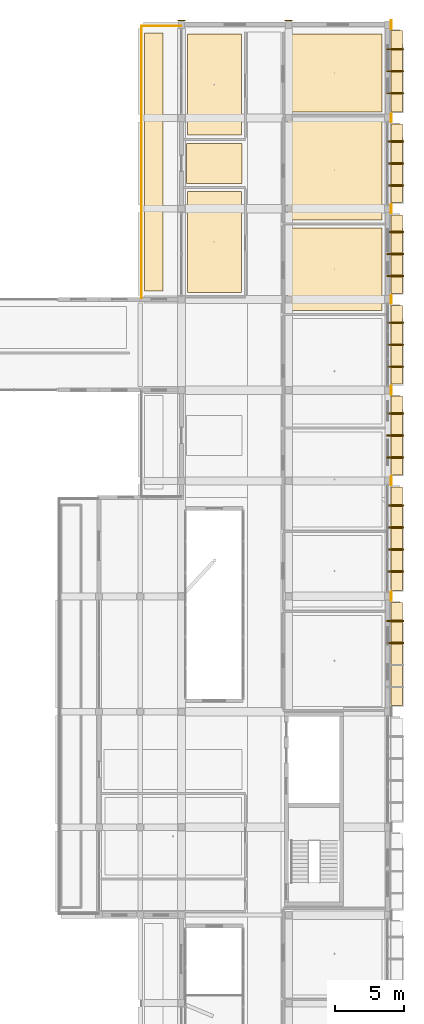
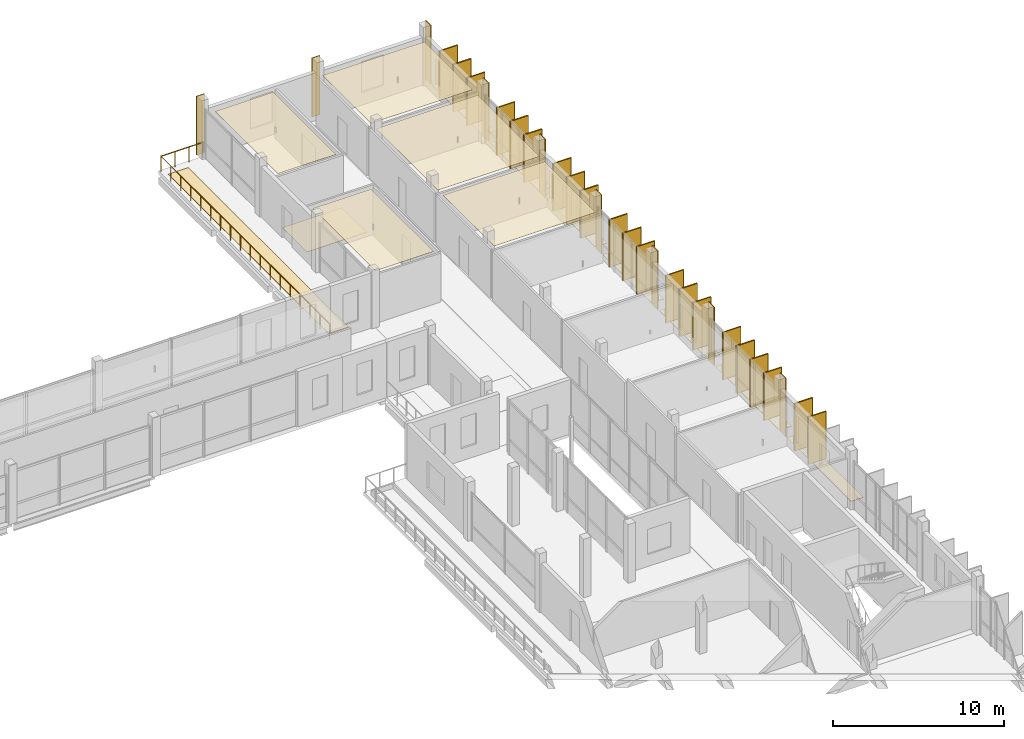
# One storey, part 85 of 85: 44 coverings, 21 shading devices, 2 railings.
"""IFC4 building model written with IfcOpenShell, lengths in metres."""

from ifc_helpers import new_model, si_unit, derived_unit, direction, frame, origin, origin_2d, place, context, subcontext, project, spatial, polyline, rectangle, circle, outline, extrude, material, layer, layer_set, type_object, element, save


model = new_model("IFC4")

# Units and contexts
model_context = context("Model", 3, precision=1e-05, world=origin(), true_north=direction((0.0, 1.0)))
body_context = subcontext(model_context, "Body", "Model", "MODEL_VIEW")
ifc_project = project(units=[si_unit("LENGTHUNIT", "METRE"), si_unit("AREAUNIT", "SQUARE_METRE"), si_unit("VOLUMEUNIT", "CUBIC_METRE"), si_unit("PLANEANGLEUNIT", "RADIAN"), si_unit("MASSUNIT", "GRAM", prefix="KILO"), derived_unit("THERMALTRANSMITTANCEUNIT", [(si_unit("POWERUNIT", "WATT"), 1), (si_unit("LENGTHUNIT", "METRE"), -2), (si_unit("THERMODYNAMICTEMPERATUREUNIT", "KELVIN"), -1)])], contexts=[model_context])

# Site, building, storey
site_placement = place(None, origin())
site = spatial("IfcSite", under=ifc_project, at=site_placement, CompositionType="ELEMENT")
building_placement = place(site_placement, origin())
building = spatial("IfcBuilding", under=site, at=building_placement, Name="Braskholm Square Health Centre", CompositionType="ELEMENT")
storey_placement = place(building_placement, frame((0.0, 0.0, 9.300048828125)))
storey = spatial("IfcBuildingStorey", under=building, at=storey_placement, Name="L03", CompositionType="ELEMENT", Elevation=9.300048828125)

# Coverings
ifc_material_1 = material(Name="Fire-rated gypsum board barrier")
ifc_layer_1 = layer(ifc_material_1, 0.02490234375)
ifc_layer_set_1 = layer_set([ifc_layer_1], Name="Fire-rated gypsum board barrier")
covering_type_1 = type_object("IfcCoveringType", Name="AcousticClinicalCeilingTile", PredefinedType="CEILING", material=ifc_layer_set_1)
covering_1_placement = place(storey_placement, frame((0.0, 0.0, 3.46484375)))
element("IfcCovering", 1, at=covering_1_placement, inside=storey, type_object=covering_type_1, Name="Acoustic ceiling L03-226", PredefinedType="CEILING", context=body_context, shape_type="SweptSolid", body=[
    extrude(outline(polyline([(156.5, 93.010009765625), (163.3798828125, 93.010009765625), (163.3798828125, 99.0), (156.5, 99.0), (156.5, 93.010009765625)])), origin(), (0.0, 0.0, 1.0), 0.025146484375),
])
covering_2_placement = place(storey_placement, frame((0.0, 0.0, 3.46484375)))
element("IfcCovering", 2, at=covering_2_placement, inside=storey, type_object=covering_type_1, Name="Acoustic ceiling L03-227", PredefinedType="CEILING", context=body_context, shape_type="SweptSolid", body=[
    extrude(outline(polyline([(156.5, 99.60009765625), (163.3798828125, 99.60009765625), (163.3798828125, 106.85009765625), (156.5, 106.85009765625), (156.5, 99.60009765625)])), origin(), (0.0, 0.0, 1.0), 0.025146484375),
])
covering_3_placement = place(storey_placement, frame((0.0, 0.0, 3.48486328125)))
element("IfcCovering", 3, at=covering_3_placement, inside=storey, type_object=covering_type_1, Name="Acoustic ceiling L03-228", PredefinedType="CEILING", context=body_context, shape_type="SweptSolid", body=[
    extrude(outline(polyline([(156.5, 107.449951171875), (163.3798828125, 107.449951171875), (163.3798828125, 113.10009765625), (156.5, 113.10009765625), (156.5, 107.449951171875)])), origin(), (0.0, 0.0, 1.0), 0.025146484375),
])
covering_4_placement = place(storey_placement, frame((0.0, 0.0, 3.46484375)))
element("IfcCovering", 4, at=covering_4_placement, inside=storey, type_object=covering_type_1, Name="Acoustic ceiling L03-240", PredefinedType="CEILING", context=body_context, shape_type="SweptSolid", body=[
    extrude(outline(polyline([(149.219970703125, 94.300048828125), (153.14990234375, 94.300048828125), (153.14990234375, 101.64990234375), (149.219970703125, 101.64990234375), (149.219970703125, 94.300048828125)])), origin(), (0.0, 0.0, 1.0), 0.025146484375),
])
covering_5_placement = place(storey_placement, frame((0.0, 0.0, 3.46484375)))
element("IfcCovering", 5, at=covering_5_placement, inside=storey, type_object=covering_type_1, Name="Acoustic ceiling L03-241", PredefinedType="CEILING", context=body_context, shape_type="SweptSolid", body=[
    extrude(outline(polyline([(149.219970703125, 105.75), (153.14990234375, 105.75), (153.14990234375, 113.10009765625), (149.219970703125, 113.10009765625), (149.219970703125, 105.75)])), origin(), (0.0, 0.0, 1.0), 0.025146484375),
])

# Railings
ifc_material_2 = material(Name="Dark patinated chevron architectural bronze", Category="aluminium")
railing_type = type_object("IfcRailingType", Name="BronzeChevronGuardrail1100", PredefinedType="GUARDRAIL", material=ifc_material_2)
railing_1_placement = place(storey_placement, frame((145.89990234375, 93.89990234375, 0.0)))
element("IfcRailing", 6, at=railing_1_placement, inside=storey, type_object=railing_type, Name="Bronze chevron guardrail 0039 L03", PredefinedType="GUARDRAIL", context=body_context, shape_type="SweptSolid", body=[
    extrude(circle(Radius=0.02392578125, at=origin_2d()), frame((0.0, 0.0, 1.076171875), z_axis=(0.0, 1.0, 0.0), x_axis=(-1.0, 0.0, 0.0)), (0.0, 0.0, 1.0), 19.800048828125),
    extrude(circle(Radius=0.02099609375, at=origin_2d()), origin(), (0.0, 0.0, 1.0), 1.052001953125),
    extrude(circle(Radius=0.02099609375, at=origin_2d()), frame((0.0, 1.164794921875, 0.0)), (0.0, 0.0, 1.0), 1.052001953125),
    extrude(circle(Radius=0.02099609375, at=origin_2d()), frame((0.0, 2.329345703125, 0.0)), (0.0, 0.0, 1.0), 1.052001953125),
    extrude(circle(Radius=0.02099609375, at=origin_2d()), frame((0.0, 3.494140625, 0.0)), (0.0, 0.0, 1.0), 1.052001953125),
    extrude(circle(Radius=0.02099609375, at=origin_2d()), frame((0.0, 4.658935546875, 0.0)), (0.0, 0.0, 1.0), 1.052001953125),
    extrude(circle(Radius=0.02099609375, at=origin_2d()), frame((0.0, 5.823486328125, 0.0)), (0.0, 0.0, 1.0), 1.052001953125),
    extrude(circle(Radius=0.02099609375, at=origin_2d()), frame((0.0, 6.98828125, 0.0)), (0.0, 0.0, 1.0), 1.052001953125),
    extrude(circle(Radius=0.02099609375, at=origin_2d()), frame((0.0, 8.153076171875, 0.0)), (0.0, 0.0, 1.0), 1.052001953125),
    extrude(circle(Radius=0.02099609375, at=origin_2d()), frame((0.0, 9.317626953125, 0.0)), (0.0, 0.0, 1.0), 1.052001953125),
    extrude(circle(Radius=0.02099609375, at=origin_2d()), frame((0.0, 10.482421875, 0.0)), (0.0, 0.0, 1.0), 1.052001953125),
    extrude(circle(Radius=0.02099609375, at=origin_2d()), frame((0.0, 11.64697265625, 0.0)), (0.0, 0.0, 1.0), 1.052001953125),
    extrude(circle(Radius=0.02099609375, at=origin_2d()), frame((0.0, 12.811767578125, 0.0)), (0.0, 0.0, 1.0), 1.052001953125),
    extrude(circle(Radius=0.02099609375, at=origin_2d()), frame((0.0, 13.9765625, 0.0)), (0.0, 0.0, 1.0), 1.052001953125),
    extrude(circle(Radius=0.02099609375, at=origin_2d()), frame((0.0, 15.14111328125, 0.0)), (0.0, 0.0, 1.0), 1.052001953125),
    extrude(circle(Radius=0.02099609375, at=origin_2d()), frame((0.0, 16.305908203125, 0.0)), (0.0, 0.0, 1.0), 1.052001953125),
    extrude(circle(Radius=0.02099609375, at=origin_2d()), frame((0.0, 17.470703125, 0.0)), (0.0, 0.0, 1.0), 1.052001953125),
    extrude(circle(Radius=0.02099609375, at=origin_2d()), frame((0.0, 18.63525390625, 0.0)), (0.0, 0.0, 1.0), 1.052001953125),
    extrude(circle(Radius=0.02099609375, at=origin_2d()), frame((0.0, 19.800048828125, 0.0)), (0.0, 0.0, 1.0), 1.052001953125),
])
railing_2_placement = place(storey_placement, frame((145.89990234375, 113.699951171875, 0.0)))
element("IfcRailing", 7, at=railing_2_placement, inside=storey, type_object=railing_type, Name="Bronze chevron guardrail 0040 L03", PredefinedType="GUARDRAIL", context=body_context, shape_type="SweptSolid", body=[
    extrude(circle(Radius=0.02392578125, at=origin_2d()), frame((0.0, 0.0, 1.076171875), z_axis=(1.0, 0.0, 0.0), x_axis=(0.0, 1.0, 0.0)), (0.0, 0.0, 1.0), 2.85009765625),
    extrude(circle(Radius=0.02099609375, at=origin_2d()), origin(), (0.0, 0.0, 1.0), 1.052001953125),
    extrude(circle(Radius=0.02099609375, at=origin_2d()), frame((0.949951171875, 0.0, 0.0)), (0.0, 0.0, 1.0), 1.052001953125),
    extrude(circle(Radius=0.02099609375, at=origin_2d()), frame((1.900146484375, 0.0, 0.0)), (0.0, 0.0, 1.0), 1.052001953125),
    extrude(circle(Radius=0.02099609375, at=origin_2d()), frame((2.85009765625, 0.0, 0.0)), (0.0, 0.0, 1.0), 1.052001953125),
])

# Shading devices
ifc_material_3 = material(Name="Thermally modified western red cedar with bronze trim", Category="wood")
shading_device_type = type_object("IfcShadingDeviceType", Name="CedarBronzeShadingFin1250", PredefinedType="USERDEFINED", material=ifc_material_3)
for number, where, z_axis, x_axis, name in (
    (8, (164.364990234375, 68.800048828125, 0.0), (0.0, 0.0, 1.0), (1.0, 0.0, 0.0), "Warm cedar-bronze vertical shading slat 0286"),
    (9, (164.364990234375, 70.39990234375, 0.0), (0.0, 0.0, 1.0), (1.0, 0.0, 0.0), "Warm cedar-bronze vertical shading slat 0287"),
    (10, (164.364990234375, 74.0, 0.0), (0.0, 0.0, 1.0), (1.0, 0.0, 0.0), "Warm cedar-bronze vertical shading slat 0288"),
    (11, (164.364990234375, 75.60009765625, 0.0), (0.0, 0.0, 1.0), (1.0, 0.0, 0.0), "Warm cedar-bronze vertical shading slat 0289"),
    (12, (164.364990234375, 77.199951171875, 0.0), (0.0, 0.0, 1.0), (1.0, 0.0, 0.0), "Warm cedar-bronze vertical shading slat 0290"),
    (13, (164.364990234375, 78.800048828125, 0.0), (0.0, 0.0, 1.0), (1.0, 0.0, 0.0), "Warm cedar-bronze vertical shading slat 0291"),
    (14, (164.364990234375, 82.300048828125, 0.0), (0.0, 0.0, 1.0), (1.0, 0.0, 0.0), "Warm cedar-bronze vertical shading slat 0292"),
    (15, (164.364990234375, 83.89990234375, 0.0), (0.0, 0.0, 1.0), (1.0, 0.0, 0.0), "Warm cedar-bronze vertical shading slat 0293"),
    (16, (164.364990234375, 85.5, 0.0), (0.0, 0.0, 1.0), (1.0, 0.0, 0.0), "Warm cedar-bronze vertical shading slat 0294"),
    (17, (164.364990234375, 88.89990234375, 0.0), (0.0, 0.0, 1.0), (1.0, 0.0, 0.0), "Warm cedar-bronze vertical shading slat 0295"),
    (18, (164.364990234375, 90.5, 0.0), (0.0, 0.0, 1.0), (1.0, 0.0, 0.0), "Warm cedar-bronze vertical shading slat 0296"),
    (19, (164.364990234375, 92.10009765625, 0.0), (0.0, 0.0, 1.0), (1.0, 0.0, 0.0), "Warm cedar-bronze vertical shading slat 0297"),
    (20, (164.364990234375, 95.5, 0.0), (0.0, 0.0, 1.0), (1.0, 0.0, 0.0), "Warm cedar-bronze vertical shading slat 0298"),
    (21, (164.364990234375, 97.10009765625, 0.0), (0.0, 0.0, 1.0), (1.0, 0.0, 0.0), "Warm cedar-bronze vertical shading slat 0299"),
    (22, (164.364990234375, 98.699951171875, 0.0), (0.0, 0.0, 1.0), (1.0, 0.0, 0.0), "Warm cedar-bronze vertical shading slat 0300"),
    (23, (164.364990234375, 102.10009765625, 0.0), (0.0, 0.0, 1.0), (1.0, 0.0, 0.0), "Warm cedar-bronze vertical shading slat 0301"),
    (24, (164.364990234375, 103.699951171875, 0.0), (0.0, 0.0, 1.0), (1.0, 0.0, 0.0), "Warm cedar-bronze vertical shading slat 0302"),
    (25, (164.364990234375, 105.300048828125, 0.0), (0.0, 0.0, 1.0), (1.0, 0.0, 0.0), "Warm cedar-bronze vertical shading slat 0303"),
    (26, (164.364990234375, 108.800048828125, 0.0), (0.0, 0.0, 1.0), (1.0, 0.0, 0.0), "Warm cedar-bronze vertical shading slat 0304"),
    (27, (164.364990234375, 110.39990234375, 0.0), (0.0, 0.0, 1.0), (1.0, 0.0, 0.0), "Warm cedar-bronze vertical shading slat 0305"),
    (28, (164.364990234375, 112.0, 0.0), (0.0, 0.0, 1.0), (1.0, 0.0, 0.0), "Warm cedar-bronze vertical shading slat 0306"),
):
    element("IfcShadingDevice", number, at=place(storey_placement, frame(where, z_axis=z_axis, x_axis=x_axis)), inside=storey, type_object=shading_device_type, Name=name, ObjectType="FIN", PredefinedType="USERDEFINED", context=body_context, shape_type="SweptSolid", body=[
        extrude(rectangle(XDim=1.25, YDim=0.0849609375, at=origin_2d()), origin(), (0.0, 0.0, 1.0), 3.39990234375),
    ])

# Coverings
ifc_layer_2 = layer(ifc_material_3, 0.0849609375)
ifc_layer_set_2 = layer_set([ifc_layer_2], Name="Thermally modified western red cedar with bronze trim")
covering_type_2 = type_object("IfcCoveringType", Name="CedarBronzeSlatCladding", PredefinedType="CLADDING", material=ifc_layer_set_2)
for number, where, z_axis, x_axis, name in (
    (29, (164.3701171875, 68.800048828125, 0.0), (0.0, 0.0, 1.0), (1.0, 0.0, 0.0), "Cedar-bronze shading slat trim 0786"),
    (30, (164.3701171875, 70.39990234375, 0.0), (0.0, 0.0, 1.0), (1.0, 0.0, 0.0), "Cedar-bronze shading slat trim 0787"),
    (31, (164.3701171875, 74.0, 0.0), (0.0, 0.0, 1.0), (1.0, 0.0, 0.0), "Cedar-bronze shading slat trim 0789"),
    (32, (164.3701171875, 75.60009765625, 0.0), (0.0, 0.0, 1.0), (1.0, 0.0, 0.0), "Cedar-bronze shading slat trim 0790"),
    (33, (164.3701171875, 77.199951171875, 0.0), (0.0, 0.0, 1.0), (1.0, 0.0, 0.0), "Cedar-bronze shading slat trim 0791"),
    (34, (164.3701171875, 78.800048828125, 0.0), (0.0, 0.0, 1.0), (1.0, 0.0, 0.0), "Cedar-bronze shading slat trim 0792"),
    (35, (164.3701171875, 82.300048828125, 0.0), (0.0, 0.0, 1.0), (1.0, 0.0, 0.0), "Cedar-bronze shading slat trim 0794"),
    (36, (164.3701171875, 83.89990234375, 0.0), (0.0, 0.0, 1.0), (1.0, 0.0, 0.0), "Cedar-bronze shading slat trim 0795"),
    (37, (164.3701171875, 85.5, 0.0), (0.0, 0.0, 1.0), (1.0, 0.0, 0.0), "Cedar-bronze shading slat trim 0796"),
    (38, (164.3701171875, 88.89990234375, 0.0), (0.0, 0.0, 1.0), (1.0, 0.0, 0.0), "Cedar-bronze shading slat trim 0798"),
    (39, (164.3701171875, 90.5, 0.0), (0.0, 0.0, 1.0), (1.0, 0.0, 0.0), "Cedar-bronze shading slat trim 0799"),
    (40, (164.3701171875, 92.10009765625, 0.0), (0.0, 0.0, 1.0), (1.0, 0.0, 0.0), "Cedar-bronze shading slat trim 0800"),
    (41, (164.3701171875, 95.5, 0.0), (0.0, 0.0, 1.0), (1.0, 0.0, 0.0), "Cedar-bronze shading slat trim 0802"),
    (42, (164.3701171875, 97.10009765625, 0.0), (0.0, 0.0, 1.0), (1.0, 0.0, 0.0), "Cedar-bronze shading slat trim 0803"),
    (43, (164.3701171875, 98.699951171875, 0.0), (0.0, 0.0, 1.0), (1.0, 0.0, 0.0), "Cedar-bronze shading slat trim 0804"),
    (44, (164.3701171875, 102.10009765625, 0.0), (0.0, 0.0, 1.0), (1.0, 0.0, 0.0), "Cedar-bronze shading slat trim 0806"),
    (45, (164.3701171875, 103.699951171875, 0.0), (0.0, 0.0, 1.0), (1.0, 0.0, 0.0), "Cedar-bronze shading slat trim 0807"),
    (46, (164.3701171875, 105.300048828125, 0.0), (0.0, 0.0, 1.0), (1.0, 0.0, 0.0), "Cedar-bronze shading slat trim 0808"),
    (47, (164.3701171875, 108.800048828125, 0.0), (0.0, 0.0, 1.0), (1.0, 0.0, 0.0), "Cedar-bronze shading slat trim 0810"),
    (48, (164.3701171875, 110.39990234375, 0.0), (0.0, 0.0, 1.0), (1.0, 0.0, 0.0), "Cedar-bronze shading slat trim 0811"),
    (49, (164.3701171875, 112.0, 0.0), (0.0, 0.0, 1.0), (1.0, 0.0, 0.0), "Cedar-bronze shading slat trim 0812"),
):
    element("IfcCovering", number, at=place(storey_placement, frame(where, z_axis=z_axis, x_axis=x_axis)), inside=storey, type_object=covering_type_2, Name=name, PredefinedType="CLADDING", context=body_context, shape_type="SweptSolid", body=[
        extrude(rectangle(XDim=1.179931640625, YDim=0.094970703125, at=origin_2d()), origin(), (0.0, 0.0, 1.0), 3.39990234375),
    ])
ifc_material_4 = material(Name="Intensive botanical sedum and native prairie garden bed")
ifc_layer_3 = layer(ifc_material_4, 0.02490234375)
ifc_layer_set_3 = layer_set([ifc_layer_3], Name="Intensive botanical sedum and native prairie garden bed")
covering_type_3 = type_object("IfcCoveringType", Name="PlantedTerraceGardenBed", PredefinedType="ROOFING", material=ifc_layer_set_3)
covering_6_placement = place(storey_placement, origin())
element("IfcCovering", 50, at=covering_6_placement, inside=storey, type_object=covering_type_3, Name="East floor planter ledge sedum strip 0788", PredefinedType="ROOFING", context=body_context, shape_type="SweptSolid", body=[
    extrude(outline(polyline([(164.050048828125, 64.239990234375), (164.8798828125, 64.239990234375), (164.8798828125, 71.760009765625), (164.050048828125, 71.760009765625), (164.050048828125, 64.239990234375)])), origin(), (0.0, 0.0, 1.0), 0.02490234375),
])
covering_7_placement = place(storey_placement, origin())
element("IfcCovering", 51, at=covering_7_placement, inside=storey, type_object=covering_type_3, Name="East floor planter ledge sedum strip 0793", PredefinedType="ROOFING", context=body_context, shape_type="SweptSolid", body=[
    extrude(outline(polyline([(164.050048828125, 72.639892578125), (164.8798828125, 72.639892578125), (164.8798828125, 80.159912109375), (164.050048828125, 80.159912109375), (164.050048828125, 72.639892578125)])), origin(), (0.0, 0.0, 1.0), 0.02490234375),
])
covering_8_placement = place(storey_placement, origin())
element("IfcCovering", 52, at=covering_8_placement, inside=storey, type_object=covering_type_3, Name="East floor planter ledge sedum strip 0797", PredefinedType="ROOFING", context=body_context, shape_type="SweptSolid", body=[
    extrude(outline(polyline([(164.050048828125, 81.0400390625), (164.8798828125, 81.0400390625), (164.8798828125, 86.760009765625), (164.050048828125, 86.760009765625), (164.050048828125, 81.0400390625)])), origin(), (0.0, 0.0, 1.0), 0.02490234375),
])
covering_9_placement = place(storey_placement, origin())
element("IfcCovering", 53, at=covering_9_placement, inside=storey, type_object=covering_type_3, Name="East floor planter ledge sedum strip 0801", PredefinedType="ROOFING", context=body_context, shape_type="SweptSolid", body=[
    extrude(outline(polyline([(164.050048828125, 87.639892578125), (164.8798828125, 87.639892578125), (164.8798828125, 93.360107421875), (164.050048828125, 93.360107421875), (164.050048828125, 87.639892578125)])), origin(), (0.0, 0.0, 1.0), 0.02490234375),
])
covering_10_placement = place(storey_placement, origin())
element("IfcCovering", 54, at=covering_10_placement, inside=storey, type_object=covering_type_3, Name="East floor planter ledge sedum strip 0805", PredefinedType="ROOFING", context=body_context, shape_type="SweptSolid", body=[
    extrude(outline(polyline([(164.050048828125, 94.239990234375), (164.8798828125, 94.239990234375), (164.8798828125, 99.9599609375), (164.050048828125, 99.9599609375), (164.050048828125, 94.239990234375)])), origin(), (0.0, 0.0, 1.0), 0.02490234375),
])
covering_11_placement = place(storey_placement, origin())
element("IfcCovering", 55, at=covering_11_placement, inside=storey, type_object=covering_type_3, Name="East floor planter ledge sedum strip 0809", PredefinedType="ROOFING", context=body_context, shape_type="SweptSolid", body=[
    extrude(outline(polyline([(164.050048828125, 100.840087890625), (164.8798828125, 100.840087890625), (164.8798828125, 106.56005859375), (164.050048828125, 106.56005859375), (164.050048828125, 100.840087890625)])), origin(), (0.0, 0.0, 1.0), 0.02490234375),
])
covering_12_placement = place(storey_placement, origin())
element("IfcCovering", 56, at=covering_12_placement, inside=storey, type_object=covering_type_3, Name="East floor planter ledge sedum strip 0813", PredefinedType="ROOFING", context=body_context, shape_type="SweptSolid", body=[
    extrude(outline(polyline([(164.050048828125, 107.43994140625), (164.8798828125, 107.43994140625), (164.8798828125, 113.360107421875), (164.050048828125, 113.360107421875), (164.050048828125, 107.43994140625)])), origin(), (0.0, 0.0, 1.0), 0.02490234375),
])
covering_13_placement = place(storey_placement, origin())
element("IfcCovering", 57, at=covering_13_placement, inside=storey, type_object=covering_type_3, Name="Planted therapy terrace garden bed 0915", PredefinedType="ROOFING", context=body_context, shape_type="SweptSolid", body=[
    extrude(outline(polyline([(146.10009765625, 94.39990234375), (147.449951171875, 94.39990234375), (147.449951171875, 113.199951171875), (146.10009765625, 113.199951171875), (146.10009765625, 94.39990234375)])), origin(), (0.0, 0.0, 1.0), 0.02490234375),
])
ifc_material_5 = material(Name="Polished geometric terrazzo flooring", Category="masonry")
ifc_layer_4 = layer(ifc_material_5, 0.02001953125)
ifc_layer_set_4 = layer_set([ifc_layer_4], Name="Polished geometric terrazzo flooring")
covering_type_4 = type_object("IfcCoveringType", Name="PolishedTerrazzoFloorFinish", PredefinedType="FLOORING", material=ifc_layer_set_4)
covering_14_placement = place(storey_placement, origin())
element("IfcCovering", 58, at=covering_14_placement, inside=storey, type_object=covering_type_4, Name="Polished terrazzo floor L03-234", PredefinedType="FLOORING", context=body_context, shape_type="SweptSolid", body=[
    extrude(outline(polyline([(149.169921875, 102.25), (153.219970703125, 102.25), (153.219970703125, 105.14990234375), (149.169921875, 105.14990234375), (149.169921875, 102.25)])), origin(), (0.0, 0.0, 1.0), 0.02001953125),
])
ifc_material_6 = material(Name="Precast concrete C40/50 architectural white", Category="concrete")
ifc_layer_5 = layer(ifc_material_6, 0.054931640625)
ifc_layer_set_5 = layer_set([ifc_layer_5], Name="Precast concrete C40/50 architectural white")
covering_type_5 = type_object("IfcCoveringType", Name="PrecastWhiteColumnCasing", PredefinedType="CLADDING", material=ifc_layer_set_5)
for number, where, z_axis, x_axis, name in (
    (59, (148.800048828125, 114.10498046875, 0.0), (0.0, 0.0, 1.0), (1.0, 0.0, 0.0), "Giant-order white precast column casing 0231"),
    (60, (156.60009765625, 114.10498046875, 0.0), (0.0, 0.0, 1.0), (1.0, 0.0, 0.0), "Giant-order white precast column casing 0241"),
):
    element("IfcCovering", number, at=place(storey_placement, frame(where, z_axis=z_axis, x_axis=x_axis)), inside=storey, type_object=covering_type_5, Name=name, PredefinedType="CLADDING", context=body_context, shape_type="SweptSolid", body=[
        extrude(rectangle(XDim=0.5400390625, YDim=0.06005859375, at=origin_2d()), origin(), (0.0, 0.0, 1.0), 4.199951171875),
    ])
for number, where, z_axis, x_axis, name in (
    (61, (164.054931640625, 72.199951171875, 0.0), (0.0, 0.0, 1.0), (1.0, 0.0, 0.0), "Giant-order white precast column casing 0326"),
    (62, (164.054931640625, 80.60009765625, 0.0), (0.0, 0.0, 1.0), (1.0, 0.0, 0.0), "Giant-order white precast column casing 0334"),
    (63, (164.054931640625, 87.199951171875, 0.0), (0.0, 0.0, 1.0), (1.0, 0.0, 0.0), "Giant-order white precast column casing 0342"),
    (64, (164.054931640625, 93.800048828125, 0.0), (0.0, 0.0, 1.0), (1.0, 0.0, 0.0), "Giant-order white precast column casing 0350"),
    (65, (164.054931640625, 100.39990234375, 0.0), (0.0, 0.0, 1.0), (1.0, 0.0, 0.0), "Giant-order white precast column casing 0358"),
    (66, (164.054931640625, 107.0, 0.0), (0.0, 0.0, 1.0), (1.0, 0.0, 0.0), "Giant-order white precast column casing 0366"),
    (67, (164.054931640625, 113.800048828125, 0.0), (0.0, 0.0, 1.0), (1.0, 0.0, 0.0), "Giant-order white precast column casing 0374"),
):
    element("IfcCovering", number, at=place(storey_placement, frame(where, z_axis=z_axis, x_axis=x_axis)), inside=storey, type_object=covering_type_5, Name=name, PredefinedType="CLADDING", context=body_context, shape_type="SweptSolid", body=[
        extrude(rectangle(XDim=0.06005859375, YDim=0.639892578125, at=origin_2d()), origin(), (0.0, 0.0, 1.0), 4.199951171875),
    ])

save(model, "model.ifc")
